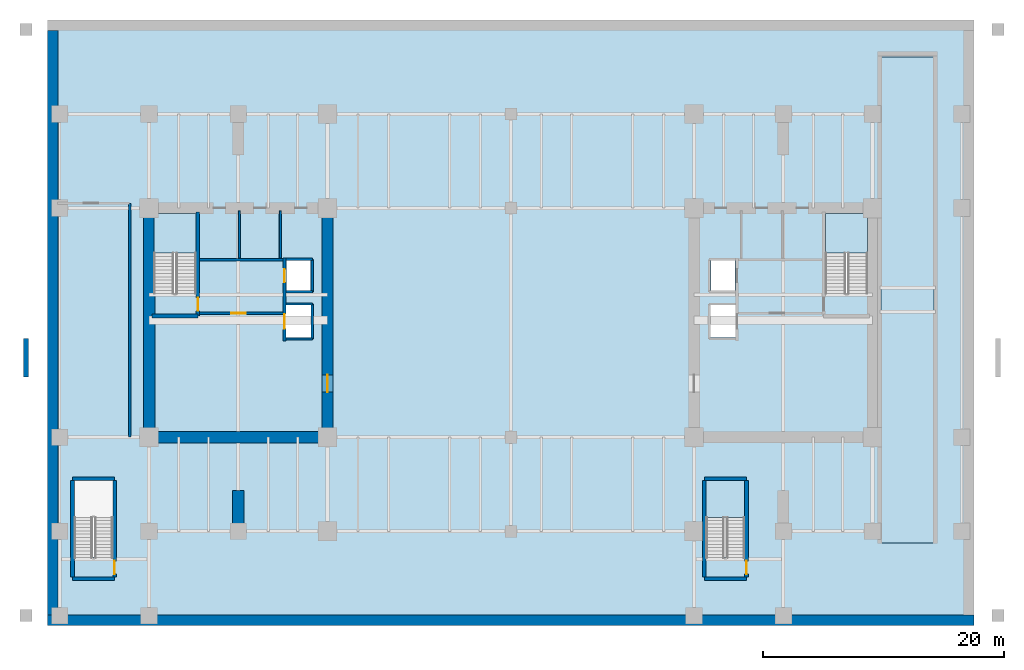
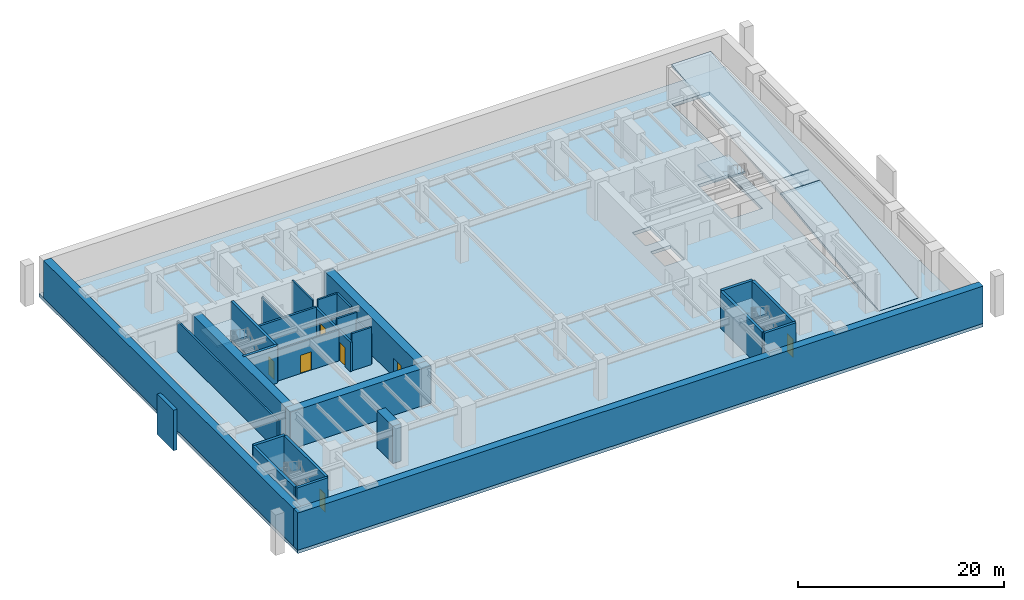
# One storey, part 2 of 6: 29 walls, 7 doors, 7 slabs, 7 openings, 3 elements without a shape of their own.
"""IFC4 building model written with IfcOpenShell, lengths in metres."""

from ifc_helpers import new_model, si_unit, direction, frame, frame_2d, origin, place, context, subcontext, project, spatial, polyline, rectangle, outline, extrude, source, transform, mapped, material, layer, layer_set, type_object, type_shapes, element, fill, aggregate, save


model = new_model("IFC4")

# Units and contexts
model_context = context("Model", 3, precision=1e-05, world=origin(), true_north=direction((0.0, 1.0)))
body_context = subcontext(model_context, "Body", "Model", "MODEL_VIEW")
ifc_project = project(units=[si_unit("LENGTHUNIT", "METRE"), si_unit("AREAUNIT", "SQUARE_METRE"), si_unit("VOLUMEUNIT", "CUBIC_METRE"), si_unit("PLANEANGLEUNIT", "RADIAN"), si_unit("MASSUNIT", "GRAM", prefix="KILO")], contexts=[model_context])

# Site, building, storey
site_placement = place(None, origin())
site = spatial("IfcSite", under=ifc_project, at=site_placement, CompositionType="ELEMENT")
building_placement = place(site_placement, origin())
building = spatial("IfcBuilding", under=site, at=building_placement, Name="Haelvirn Gate Laboratories", CompositionType="ELEMENT")
storey_placement = place(building_placement, frame((0.0, 0.0, -9.60009765625)))
storey = spatial("IfcBuildingStorey", under=building, at=storey_placement, Name="B2", CompositionType="ELEMENT", Elevation=-9.60009765625)

# Stair, slab
ifc_material_1 = material(Name="Concrete C40/50", Category="concrete")
stair_type_1 = type_object("IfcStairType", Name="ST-DOG-1650-R26", PredefinedType="HALF_TURN_STAIR", material=ifc_material_1)
stair_1_placement = place(storey_placement, origin())
stair_1 = element("IfcStair", 1, at=stair_1_placement, inside=storey, type_object=stair_type_1, Name="B2 Escape Stair ST1", PredefinedType="HALF_TURN_STAIR")
ifc_layer_1 = layer(ifc_material_1, 0.199951171875, Name="SL-STAIR-LND")
ifc_layer_set_1 = layer_set([ifc_layer_1], Name="Concrete C40/50")
slab_type_1 = type_object("IfcSlabType", Name="SL-STAIR-LND", PredefinedType="LANDING", material=ifc_layer_set_1)
slab_1_placement = place(storey_placement, frame((0.0, 0.0, 2.2001953125)))
slab_1 = element("IfcSlab", 2, at=slab_1_placement, type_object=slab_type_1, Name="ST1 landing 1", PredefinedType="LANDING", context=body_context, shape_type="SweptSolid", body=[
    extrude(outline(polyline([(11.300048828125, 30.06005859375), (11.300048828125, 33.35009765625), (7.800048828125, 33.35009765625), (7.800048828125, 30.06005859375), (11.300048828125, 30.06005859375)])), origin(), (0.0, 0.0, 1.0), 0.199951171875),
])
aggregate(stair_1, [slab_1])

stair_2_placement = place(storey_placement, origin())
stair_2 = element("IfcStair", 3, at=stair_2_placement, inside=storey, type_object=stair_type_1, Name="B2 Escape Stair ST2", PredefinedType="HALF_TURN_STAIR")
slab_2_placement = place(storey_placement, frame((0.0, 0.0, 2.2001953125)))
slab_2 = element("IfcSlab", 4, at=slab_2_placement, type_object=slab_type_1, Name="ST2 landing 1", PredefinedType="LANDING", context=body_context, shape_type="SweptSolid", body=[
    extrude(outline(polyline([(67.0, 30.06005859375), (67.0, 33.35009765625), (63.5, 33.35009765625), (63.5, 30.06005859375), (67.0, 30.06005859375)])), origin(), (0.0, 0.0, 1.0), 0.199951171875),
])
aggregate(stair_2, [slab_2])

stair_type_2 = type_object("IfcStairType", Name="ST-DOG-1500-R26", PredefinedType="HALF_TURN_STAIR", material=ifc_material_1)
stair_3_placement = place(storey_placement, origin())
stair_3 = element("IfcStair", 5, at=stair_3_placement, inside=storey, type_object=stair_type_2, Name="B2 Escape Stair ST4", PredefinedType="HALF_TURN_STAIR")
slab_3_placement = place(storey_placement, frame((0.0, 0.0, 2.2001953125)))
slab_3 = element("IfcSlab", 6, at=slab_3_placement, type_object=slab_type_1, Name="ST4 landing 1", PredefinedType="LANDING", context=body_context, shape_type="SweptSolid", body=[
    extrude(outline(polyline([(56.800048828125, 8.159912109375), (56.800048828125, 11.199951171875), (53.60009765625, 11.199951171875), (53.60009765625, 8.159912109375), (56.800048828125, 8.159912109375)])), origin(), (0.0, 0.0, 1.0), 0.199951171875),
])
aggregate(stair_3, [slab_3])

# Slabs
ifc_material_2 = material(Name="Concrete C50/60", Category="concrete")
ifc_layer_2 = layer(ifc_material_2, 0.3798828125, Name="SL-SUB-380")
ifc_layer_set_2 = layer_set([ifc_layer_2], Name="Concrete C50/60")
slab_type_2 = type_object("IfcSlabType", Name="SL-SUB-380", PredefinedType="FLOOR", material=ifc_layer_set_2)
slab_4_placement = place(storey_placement, frame((0.0, 0.0, -0.3798828125)))
element("IfcSlab", 7, at=slab_4_placement, inside=storey, type_object=slab_type_2, Name="B2 Structural Slab MAIN", PredefinedType="FLOOR", context=body_context, shape_type="SweptSolid", body=[
    extrude(outline(polyline([(-1.0, -0.800048828125), (75.800048828125, -0.800048828125), (75.800048828125, -0.800048828125), (75.800048828125, -0.800048828125), (75.800048828125, 49.39990234375), (75.800048828125, 49.39990234375), (75.800048828125, 49.39990234375), (-1.0, 49.39990234375), (-1.0, 49.39990234375), (-1.0, 49.39990234375), (-1.0, -0.800048828125), (-1.0, -0.800048828125), (-1.0, -0.800048828125)]), holes=[polyline([(11.300048828125, 26.780029296875), (11.300048828125, 33.35009765625), (7.800048828125, 33.35009765625), (7.800048828125, 26.780029296875), (11.300048828125, 26.780029296875)]), polyline([(67.0, 26.780029296875), (67.0, 33.35009765625), (63.5, 33.35009765625), (63.5, 26.780029296875), (67.0, 26.780029296875)]), polyline([(4.39990234375, 4.8798828125), (4.39990234375, 11.199951171875), (1.199951171875, 11.199951171875), (1.199951171875, 4.8798828125), (4.39990234375, 4.8798828125)]), polyline([(56.800048828125, 4.8798828125), (56.800048828125, 11.199951171875), (53.60009765625, 11.199951171875), (53.60009765625, 4.8798828125), (56.800048828125, 4.8798828125)]), polyline([(18.7900390625, 26.969970703125), (20.81005859375, 26.969970703125), (20.81005859375, 29.510009765625), (18.7900390625, 29.510009765625), (18.7900390625, 26.969970703125)]), polyline([(18.68994140625, 23.070068359375), (20.909912109375, 23.070068359375), (20.909912109375, 25.81005859375), (18.68994140625, 25.81005859375), (18.68994140625, 23.070068359375)]), polyline([(53.989990234375, 26.969970703125), (56.010009765625, 26.969970703125), (56.010009765625, 29.510009765625), (53.989990234375, 29.510009765625), (53.989990234375, 26.969970703125)]), polyline([(53.889892578125, 23.070068359375), (56.110107421875, 23.070068359375), (56.110107421875, 25.81005859375), (53.889892578125, 25.81005859375), (53.889892578125, 23.070068359375)]), polyline([(68.199951171875, 6.080078125), (72.39990234375, 6.080078125), (72.39990234375, 46.39990234375), (68.199951171875, 46.39990234375), (68.199951171875, 6.080078125)])]), origin(), (0.0, 0.0, 1.0), 0.3798828125),
])
ifc_layer_3 = layer(ifc_material_2, 0.300048828125, Name="SL-VRMP-300")
ifc_layer_set_3 = layer_set([ifc_layer_3], Name="Concrete C50/60")
slab_type_3 = type_object("IfcSlabType", Name="SL-VRMP-300", PredefinedType="USERDEFINED", material=ifc_layer_set_3)
slab_5_placement = place(storey_placement, frame((68.10009765625, 6.050048828125, 0.010009765625), z_axis=(0.0, -0.124170543435, 0.992260891169), x_axis=(1.0, 0.0, 0.0)))
element("IfcSlab", 8, at=slab_5_placement, inside=storey, type_object=slab_type_3, Name="Car park vehicle ramp B2 lower structural slab", ObjectType="RAMP", PredefinedType="USERDEFINED", context=body_context, shape_type="SweptSolid", body=[
    extrude(outline(polyline([(0.0, 0.0), (4.39990234375, 0.0), (4.39990234375, 19.248779296875), (0.0, 19.248779296875), (0.0, 0.0)])), origin(), (0.0, 0.0, -1.0), 0.300048828125),
])
slab_6_placement = place(storey_placement, frame((68.10009765625, 27.25, 2.400146484375), z_axis=(0.0, -0.124668441349, 0.992198457836), x_axis=(1.0, 0.0, 0.0)))
element("IfcSlab", 9, at=slab_6_placement, inside=storey, type_object=slab_type_3, Name="Car park vehicle ramp B2 upper structural slab", ObjectType="RAMP", PredefinedType="USERDEFINED", context=body_context, shape_type="SweptSolid", body=[
    extrude(outline(polyline([(0.0, 0.0), (4.39990234375, 0.0), (4.39990234375, 19.250244140625), (0.0, 19.250244140625), (0.0, 0.0)])), origin(), (0.0, 0.0, -1.0), 0.300048828125),
])
ifc_layer_4 = layer(ifc_material_2, 0.300048828125, Name="SL-VRMP-LND")
ifc_layer_set_4 = layer_set([ifc_layer_4], Name="Concrete C50/60")
slab_type_4 = type_object("IfcSlabType", Name="SL-VRMP-LND", PredefinedType="LANDING", material=ifc_layer_set_4)
slab_7_placement = place(storey_placement, frame((0.0, 0.0, 2.10009765625)))
element("IfcSlab", 10, at=slab_7_placement, inside=storey, type_object=slab_type_4, Name="Car park vehicle ramp B2 intermediate landing", PredefinedType="LANDING", context=body_context, shape_type="SweptSolid", body=[
    extrude(outline(polyline([(68.10009765625, 25.199951171875), (72.5, 25.199951171875), (72.5, 27.199951171875), (68.10009765625, 27.199951171875), (68.10009765625, 25.199951171875)])), origin(), (0.0, 0.0, 1.0), 0.300048828125),
])

# Walls
ifc_material_3 = material(Name="Fire-rated gypsum shaft-liner partition", Category="gypsum")
ifc_layer_5 = layer(ifc_material_3, 0.18505859375, Name="IW-PART-180")
ifc_layer_set_5 = layer_set([ifc_layer_5], Name="Fire-rated gypsum shaft-liner partition")
wall_type_1 = type_object("IfcWallType", Name="IW-PART-180", PredefinedType="SOLIDWALL", material=ifc_layer_set_5)
wall_1_placement = place(storey_placement, frame((5.800048828125, 14.800048828125, 0.0), z_axis=(0.0, 0.0, 1.0), x_axis=(0.0, 1.0, 0.0)))
element("IfcWall", 11, at=wall_1_placement, inside=storey, type_object=wall_type_1, Name="B2 Interior Wall IW-B2-CYC-E", PredefinedType="SOLIDWALL", context=body_context, shape_type="SweptSolid", body=[
    extrude(rectangle(XDim=19.39990234375, YDim=0.18505859375, at=frame_2d((9.699951171875, 0.0))), origin(), (0.0, 0.0, 1.0), 3.60498046875),
])
ifc_material_4 = material(Name="Cement-board restroom plumbing chase wall", Category="gypsum")
ifc_layer_6 = layer(ifc_material_4, 0.155029296875, Name="IW-PLUMB-160")
ifc_layer_set_6 = layer_set([ifc_layer_6], Name="Cement-board restroom plumbing chase wall")
wall_type_2 = type_object("IfcWallType", Name="IW-PLUMB-160", PredefinedType="PLUMBINGWALL", material=ifc_layer_set_6)
wall_2_placement = place(storey_placement, frame((14.889892578125, 29.64990234375, 0.0), z_axis=(0.0, 0.0, 1.0), x_axis=(0.0, 1.0, 0.0)))
element("IfcWall", 12, at=wall_2_placement, inside=storey, type_object=wall_type_2, Name="B2 Interior Wall IW-B2-W-CDIV-1", PredefinedType="PLUMBINGWALL", context=body_context, shape_type="SweptSolid", body=[
    extrude(rectangle(XDim=3.93017578125, YDim=0.155029296875, at=frame_2d((1.965087890625, 0.0))), origin(), (0.0, 0.0, 1.0), 3.655029296875),
])
wall_3_placement = place(storey_placement, frame((18.2900390625, 29.64990234375, 0.0), z_axis=(0.0, 0.0, 1.0), x_axis=(0.0, 1.0, 0.0)))
element("IfcWall", 13, at=wall_3_placement, inside=storey, type_object=wall_type_2, Name="B2 Interior Wall IW-B2-W-CDIV-2", PredefinedType="PLUMBINGWALL", context=body_context, shape_type="SweptSolid", body=[
    extrude(rectangle(XDim=3.93017578125, YDim=0.155029296875, at=frame_2d((1.965087890625, 0.0))), origin(), (0.0, 0.0, 1.0), 4.420166015625),
])
ifc_layer_7 = layer(ifc_material_1, 0.199951171875, Name="IW-SHAFT-200")
ifc_layer_set_7 = layer_set([ifc_layer_7], Name="Concrete C40/50")
wall_type_3 = type_object("IfcWallType", Name="IW-SHAFT-200", PredefinedType="SOLIDWALL", material=ifc_layer_set_7)
wall_4_placement = place(storey_placement, frame((20.949951171875, 26.85009765625, 0.0), z_axis=(0.0, 0.0, 1.0), x_axis=(0.0, 1.0, 0.0)))
element("IfcWall", 14, at=wall_4_placement, inside=storey, type_object=wall_type_3, Name="B2 Interior Wall IW-B2-FL1-BK", PredefinedType="SOLIDWALL", context=body_context, shape_type="SweptSolid", body=[
    extrude(rectangle(XDim=2.699951171875, YDim=0.199951171875, at=frame_2d((1.35009765625, 0.0))), origin(), (0.0, 0.0, 1.0), 4.420166015625),
])
wall_5_placement = place(storey_placement, frame((18.760009765625, 29.550048828125, 0.0), z_axis=(0.0, 0.0, 1.0), x_axis=(1.0, 0.0, 0.0)))
element("IfcWall", 15, at=wall_5_placement, inside=storey, type_object=wall_type_3, Name="B2 Interior Wall IW-B2-FL1-N", PredefinedType="SOLIDWALL", context=body_context, shape_type="SweptSolid", body=[
    extrude(rectangle(XDim=2.18994140625, YDim=0.199951171875, at=frame_2d((1.094970703125, 0.0))), origin(), (0.0, 0.0, 1.0), 4.420166015625),
])
wall_6_placement = place(storey_placement, frame((18.760009765625, 26.85009765625, 0.0), z_axis=(0.0, 0.0, 1.0), x_axis=(1.0, 0.0, 0.0)))
element("IfcWall", 16, at=wall_6_placement, inside=storey, type_object=wall_type_3, Name="B2 Interior Wall IW-B2-FL1-S", PredefinedType="SOLIDWALL", context=body_context, shape_type="SweptSolid", body=[
    extrude(rectangle(XDim=2.18994140625, YDim=0.199951171875, at=frame_2d((1.094970703125, 0.0))), origin(), (0.0, 0.0, 1.0), 3.817138671875),
])
wall_7_placement = place(storey_placement, frame((20.949951171875, 22.949951171875, 0.0), z_axis=(0.0, 0.0, 1.0), x_axis=(0.0, 1.0, 0.0)))
element("IfcWall", 17, at=wall_7_placement, inside=storey, type_object=wall_type_3, Name="B2 Interior Wall IW-B2-SL1-BK", PredefinedType="SOLIDWALL", context=body_context, shape_type="SweptSolid", body=[
    extrude(rectangle(XDim=2.900146484375, YDim=0.199951171875, at=frame_2d((1.4501953125, 0.0))), origin(), (0.0, 0.0, 1.0), 3.505126953125),
])
for number, where, z_axis, x_axis, name in (
    (18, (18.760009765625, 25.85009765625, 0.0), (0.0, 0.0, 1.0), (1.0, 0.0, 0.0), "B2 Interior Wall IW-B2-SL1-N"),
    (19, (18.760009765625, 22.949951171875, 0.0), (0.0, 0.0, 1.0), (1.0, 0.0, 0.0), "B2 Interior Wall IW-B2-SL1-S"),
):
    element("IfcWall", number, at=place(storey_placement, frame(where, z_axis=z_axis, x_axis=x_axis)), inside=storey, type_object=wall_type_3, Name=name, PredefinedType="SOLIDWALL", context=body_context, shape_type="SweptSolid", body=[
        extrude(rectangle(XDim=2.18994140625, YDim=0.199951171875, at=frame_2d((1.094970703125, 0.0))), origin(), (0.0, 0.0, 1.0), 4.420166015625),
    ])

# Wall, opening, door
ifc_layer_8 = layer(ifc_material_1, 0.239990234375, Name="IW-SHAFT-240")
ifc_layer_set_8 = layer_set([ifc_layer_8], Name="Concrete C40/50")
wall_type_4 = type_object("IfcWallType", Name="IW-SHAFT-240", PredefinedType="SOLIDWALL", material=ifc_layer_set_8)
wall_8_placement = place(storey_placement, frame((11.60009765625, 25.080078125, 0.0), z_axis=(0.0, 0.0, 1.0), x_axis=(1.0, 0.0, 0.0)))
wall_8 = element("IfcWall", 20, at=wall_8_placement, inside=storey, type_object=wall_type_4, Name="B2 Interior Wall IW-B2-W-FF-S", PredefinedType="SOLIDWALL", context=body_context, shape_type="SweptSolid", body=[
    extrude(rectangle(XDim=6.919921875, YDim=0.239990234375, at=frame_2d((3.4599609375, 0.0))), origin(), (0.0, 0.0, 1.0), 3.655029296875),
])
opening_1_placement = place(wall_8_placement, frame((2.60009765625, 0.0, 0.0)))
opening_1 = element("IfcOpeningElement", 21, at=opening_1_placement, cuts=wall_8, Name="Opening FD2", PredefinedType="OPENING", context=body_context, shape_type="SweptSolid", body=[
    extrude(rectangle(XDim=1.199951171875, YDim=2.159912109375, at=frame_2d((0.60009765625, 1.080078125))), frame((0.0, 0.1298828125, 0.0), z_axis=(0.0, -1.0, 0.0), x_axis=(1.0, 0.0, 0.0)), (0.0, 0.0, 1.0), 0.260009765625),
])
ifc_material_5 = material(Name="Fire-rated steel SM355 compartment door", Category="steel")
door_type_1 = type_object("IfcDoorType", Name="DR-FD-1200", OperationType="NOTDEFINED", PredefinedType="DOOR", material=ifc_material_5)
shared_shape_1 = source(origin(), body_context, "Body", "SweptSolid", [
    extrude(rectangle(XDim=1.199951171875, YDim=2.159912109375, at=frame_2d((0.60009765625, 1.080078125))), frame((0.0, 0.02490234375, 0.0), z_axis=(0.0, -1.0, 0.0), x_axis=(1.0, 0.0, 0.0)), (0.0, 0.0, 1.0), 0.050048828125),
])
type_shapes(door_type_1, [shared_shape_1])
door_1_placement = place(opening_1_placement, origin())
door_1 = element("IfcDoor", 22, at=door_1_placement, inside=storey, type_object=door_type_1, Name="B2 West Firefighting Lobby Door", OperationType="SINGLE_SWING_RIGHT", OverallHeight=2.159912109375, OverallWidth=1.199951171875, PredefinedType="DOOR", context=body_context, shape_type="MappedRepresentation", body=[
    mapped(shared_shape_1, transform((0.0, 0.0, 0.0), scale=1.0)),
])
fill(opening_1, door_1)

# Wall
wall_9_placement = place(storey_placement, frame((11.60009765625, 29.52001953125, 0.0), z_axis=(0.0, 0.0, 1.0), x_axis=(1.0, 0.0, 0.0)))
element("IfcWall", 23, at=wall_9_placement, inside=storey, type_object=wall_type_4, Name="B2 Interior Wall IW-B2-W-FF-N", PredefinedType="SOLIDWALL", context=body_context, shape_type="SweptSolid", body=[
    extrude(rectangle(XDim=6.919921875, YDim=0.239990234375, at=frame_2d((3.4599609375, 0.0))), origin(), (0.0, 0.0, 1.0), 3.655029296875),
])

# Wall, openings, doors
wall_10_placement = place(storey_placement, frame((18.639892578125, 22.800048828125, 0.0), z_axis=(0.0, 0.0, 1.0), x_axis=(0.0, 1.0, 0.0)))
wall_10 = element("IfcWall", 24, at=wall_10_placement, inside=storey, type_object=wall_type_4, Name="B2 Interior Wall IW-B2-W-FF-E", PredefinedType="SOLIDWALL", context=body_context, shape_type="SweptSolid", body=[
    extrude(rectangle(XDim=6.849853515625, YDim=0.239990234375, at=frame_2d((3.4248046875, 0.0))), origin(), (0.0, 0.0, 1.0), 3.505126953125),
])
opening_2_placement = place(wall_10_placement, frame((4.85009765625, 0.0, 0.0)))
opening_2 = element("IfcOpeningElement", 25, at=opening_2_placement, cuts=wall_10, Name="Opening LD2", PredefinedType="OPENING", context=body_context, shape_type="SweptSolid", body=[
    extrude(rectangle(XDim=1.10009765625, YDim=2.219970703125, at=frame_2d((0.550048828125, 1.10986328125))), frame((0.0, 0.1298828125, 0.0), z_axis=(0.0, -1.0, 0.0), x_axis=(1.0, 0.0, 0.0)), (0.0, 0.0, 1.0), 0.260009765625),
])
opening_3_placement = place(wall_10_placement, frame((1.0, 0.0, 0.0)))
opening_3 = element("IfcOpeningElement", 26, at=opening_3_placement, cuts=wall_10, Name="Opening LD1", PredefinedType="OPENING", context=body_context, shape_type="SweptSolid", body=[
    extrude(rectangle(XDim=1.199951171875, YDim=2.219970703125, at=frame_2d((0.60009765625, 1.10986328125))), frame((0.0, 0.1298828125, 0.0), z_axis=(0.0, -1.0, 0.0), x_axis=(1.0, 0.0, 0.0)), (0.0, 0.0, 1.0), 0.260009765625),
])
ifc_material_6 = material(Name="Bronze stainless 316L sliding lift landing door")
door_type_2 = type_object("IfcDoorType", Name="DR-LD-1100", OperationType="NOTDEFINED", PredefinedType="USERDEFINED", material=ifc_material_6)
shared_shape_2 = source(origin(), body_context, "Body", "SweptSolid", [
    extrude(rectangle(XDim=1.10009765625, YDim=2.219970703125, at=frame_2d((0.550048828125, 1.10986328125))), frame((0.0, 0.02490234375, 0.0), z_axis=(0.0, -1.0, 0.0), x_axis=(1.0, 0.0, 0.0)), (0.0, 0.0, 1.0), 0.050048828125),
])
type_shapes(door_type_2, [shared_shape_2])
door_2_placement = place(opening_2_placement, origin())
door_2 = element("IfcDoor", 27, at=door_2_placement, inside=storey, type_object=door_type_2, Name="B2 Firefighting Lift FL1 Landing Door", ObjectType="LANDING_DOOR", OperationType="SLIDING_TO_LEFT", OverallHeight=2.219970703125, OverallWidth=1.10009765625, PredefinedType="USERDEFINED", context=body_context, shape_type="MappedRepresentation", body=[
    mapped(shared_shape_2, transform((0.0, 0.0, 0.0), scale=1.0)),
])
fill(opening_2, door_2)
ifc_material_7 = material(Name="Stainless steel 316L sliding goods landing door", Category="steel")
door_type_3 = type_object("IfcDoorType", Name="DR-LD-1200", OperationType="NOTDEFINED", PredefinedType="USERDEFINED", material=ifc_material_7)
shared_shape_3 = source(origin(), body_context, "Body", "SweptSolid", [
    extrude(rectangle(XDim=1.199951171875, YDim=2.219970703125, at=frame_2d((0.60009765625, 1.10986328125))), frame((0.0, 0.02490234375, 0.0), z_axis=(0.0, -1.0, 0.0), x_axis=(1.0, 0.0, 0.0)), (0.0, 0.0, 1.0), 0.050048828125),
])
type_shapes(door_type_3, [shared_shape_3])
door_3_placement = place(opening_3_placement, origin())
door_3 = element("IfcDoor", 28, at=door_3_placement, inside=storey, type_object=door_type_3, Name="B2 Service Lift SL1 Landing Door", ObjectType="LANDING_DOOR", OperationType="SLIDING_TO_RIGHT", OverallHeight=2.219970703125, OverallWidth=1.199951171875, PredefinedType="USERDEFINED", context=body_context, shape_type="MappedRepresentation", body=[
    mapped(shared_shape_3, transform((0.0, 0.0, 0.0), scale=1.0)),
])
fill(opening_3, door_3)

# Walls
ifc_material_8 = material(Name="Concrete C70/85", Category="concrete")
ifc_layer_9 = layer(ifc_material_8, 0.949951171875, Name="SW-CORE-950")
ifc_layer_set_9 = layer_set([ifc_layer_9], Name="Concrete C70/85")
wall_type_5 = type_object("IfcWallType", Name="SW-CORE-950", PredefinedType="SHEAR", material=ifc_layer_set_9)
wall_11_placement = place(storey_placement, frame((6.925048828125, 14.800048828125, 0.0), z_axis=(0.0, 0.0, 1.0), x_axis=(1.0, 0.0, 0.0)))
element("IfcWall", 29, at=wall_11_placement, inside=storey, type_object=wall_type_5, Name="B2 W Core Shear Wall S", PredefinedType="SHEAR", context=body_context, shape_type="SweptSolid", body=[
    extrude(rectangle(XDim=15.75, YDim=0.949951171875, at=frame_2d((7.875, 0.0))), origin(), (0.0, 0.0, 1.0), 4.420166015625),
])
wall_12_placement = place(storey_placement, frame((7.39990234375, 15.27490234375, 0.0), z_axis=(0.0, 0.0, 1.0), x_axis=(0.0, 1.0, 0.0)))
element("IfcWall", 30, at=wall_12_placement, inside=storey, type_object=wall_type_5, Name="B2 W Core Shear Wall W", PredefinedType="SHEAR", context=body_context, shape_type="SweptSolid", body=[
    extrude(rectangle(XDim=18.050048828125, YDim=0.949951171875, at=frame_2d((9.02490234375, 0.0))), origin(), (0.0, 0.0, 1.0), 4.420166015625),
])

# Wall, opening, door
wall_13_placement = place(storey_placement, frame((22.199951171875, 15.27490234375, 0.0), z_axis=(0.0, 0.0, 1.0), x_axis=(0.0, 1.0, 0.0)))
wall_13 = element("IfcWall", 31, at=wall_13_placement, inside=storey, type_object=wall_type_5, Name="B2 W Core Shear Wall E", PredefinedType="SHEAR", context=body_context, shape_type="SweptSolid", body=[
    extrude(rectangle(XDim=18.050048828125, YDim=0.949951171875, at=frame_2d((9.02490234375, 0.0))), origin(), (0.0, 0.0, 1.0), 4.420166015625),
])
opening_4_placement = place(wall_13_placement, frame((3.27490234375, 0.0, 0.0)))
opening_4 = element("IfcOpeningElement", 32, at=opening_4_placement, cuts=wall_13, Name="Opening FD1", PredefinedType="OPENING", context=body_context, shape_type="SweptSolid", body=[
    extrude(rectangle(XDim=1.419921875, YDim=2.199951171875, at=frame_2d((0.7099609375, 1.10009765625))), frame((0.0, 0.48486328125, 0.0), z_axis=(0.0, -1.0, 0.0), x_axis=(1.0, 0.0, 0.0)), (0.0, 0.0, 1.0), 0.969970703125),
])
ifc_material_9 = material(Name="Fire-rated double steel SM355 lobby door", Category="steel")
door_type_4 = type_object("IfcDoorType", Name="DR-FD-1400", OperationType="NOTDEFINED", PredefinedType="DOOR", material=ifc_material_9)
shared_shape_4 = source(origin(), body_context, "Body", "SweptSolid", [
    extrude(rectangle(XDim=1.419921875, YDim=2.199951171875, at=frame_2d((0.7099609375, 1.10009765625))), frame((0.0, 0.02490234375, 0.0), z_axis=(0.0, -1.0, 0.0), x_axis=(1.0, 0.0, 0.0)), (0.0, 0.0, 1.0), 0.050048828125),
])
type_shapes(door_type_4, [shared_shape_4])
door_4_placement = place(opening_4_placement, origin())
door_4 = element("IfcDoor", 33, at=door_4_placement, inside=storey, type_object=door_type_4, Name="B2 West Core Lift Lobby Fire Door", OperationType="DOUBLE_DOOR_SINGLE_SWING", OverallHeight=2.199951171875, OverallWidth=1.419921875, PredefinedType="DOOR", context=body_context, shape_type="MappedRepresentation", body=[
    mapped(shared_shape_4, transform((0.0, 0.0, 0.0), scale=1.0)),
])
fill(opening_4, door_4)

# Walls
wall_14_placement = place(storey_placement, frame((14.800048828125, 7.300048828125, 0.0), z_axis=(0.0, 0.0, 1.0), x_axis=(0.0, 1.0, 0.0)))
element("IfcWall", 34, at=wall_14_placement, inside=storey, type_object=wall_type_5, Name="B2 Transverse Slab Shear Wall W-S", PredefinedType="SHEAR", context=body_context, shape_type="SweptSolid", body=[
    extrude(rectangle(XDim=3.099853515625, YDim=0.949951171875, at=frame_2d((1.5498046875, 0.0))), origin(), (0.0, 0.0, 1.0), 4.420166015625),
])
ifc_layer_10 = layer(ifc_material_2, 0.39990234375, Name="SW-PLINTH-400")
ifc_layer_set_10 = layer_set([ifc_layer_10], Name="Concrete C50/60")
wall_type_6 = type_object("IfcWallType", Name="SW-PLINTH-400", PredefinedType="SOLIDWALL", material=ifc_layer_set_10)
wall_15_placement = place(storey_placement, frame((-2.800048828125, 19.800048828125, 0.0), z_axis=(0.0, 0.0, 1.0), x_axis=(0.0, 1.0, 0.0)))
element("IfcWall", 35, at=wall_15_placement, inside=storey, type_object=wall_type_6, Name="B2 West Accessible Ramp Plinth Wall", PredefinedType="SOLIDWALL", context=body_context, shape_type="SweptSolid", body=[
    extrude(rectangle(XDim=3.199951171875, YDim=0.39990234375, at=frame_2d((1.60009765625, 0.0))), origin(), (0.0, 0.0, 1.0), 4.800048828125),
])
ifc_layer_11 = layer(ifc_material_2, 0.85009765625, Name="SW-RET-850")
ifc_layer_set_11 = layer_set([ifc_layer_11], Name="Concrete C50/60")
wall_type_7 = type_object("IfcWallType", Name="SW-RET-850", PredefinedType="SOLIDWALL", material=ifc_layer_set_11)
wall_16_placement = place(storey_placement, frame((-1.0, -0.375, 0.0), z_axis=(0.0, 0.0, 1.0), x_axis=(1.0, 0.0, 0.0)))
element("IfcWall", 36, at=wall_16_placement, inside=storey, type_object=wall_type_7, Name="B2 Perimeter Diaphragm Wall S", PredefinedType="SOLIDWALL", context=body_context, shape_type="SweptSolid", body=[
    extrude(rectangle(XDim=76.800048828125, YDim=0.85009765625, at=frame_2d((38.39990234375, 0.0))), origin(), (0.0, 0.0, 1.0), 4.420166015625),
])
wall_17_placement = place(storey_placement, frame((-0.574951171875, 0.050048828125, 0.0), z_axis=(0.0, 0.0, 1.0), x_axis=(0.0, 1.0, 0.0)))
element("IfcWall", 37, at=wall_17_placement, inside=storey, type_object=wall_type_7, Name="B2 Perimeter Diaphragm Wall W", PredefinedType="SOLIDWALL", context=body_context, shape_type="SweptSolid", body=[
    extrude(rectangle(XDim=48.5, YDim=0.85009765625, at=frame_2d((24.25, 0.0))), origin(), (0.0, 0.0, 1.0), 4.420166015625),
])

# Wall, opening, door
ifc_layer_12 = layer(ifc_material_2, 0.300048828125, Name="SW-STAIR-300")
ifc_layer_set_12 = layer_set([ifc_layer_12], Name="Concrete C50/60")
wall_type_8 = type_object("IfcWallType", Name="SW-STAIR-300", PredefinedType="SHEAR", material=ifc_layer_set_12)
wall_18_placement = place(storey_placement, frame((11.449951171875, 24.85009765625, 0.0), z_axis=(0.0, 0.0, 1.0), x_axis=(0.0, 1.0, 0.0)))
wall_18 = element("IfcWall", 38, at=wall_18_placement, inside=storey, type_object=wall_type_8, Name="B2 W Core Stair Shaft Structural Wall IN", PredefinedType="SHEAR", context=body_context, shape_type="SweptSolid", body=[
    extrude(rectangle(XDim=8.6298828125, YDim=0.300048828125, at=frame_2d((4.31494140625, 0.0))), origin(), (0.0, 0.0, 1.0), 4.420166015625),
])
opening_5_placement = place(wall_18_placement, frame((0.419921875, 0.0, 0.0)))
opening_5 = element("IfcOpeningElement", 39, at=opening_5_placement, cuts=wall_18, Name="Opening FD3", PredefinedType="OPENING", context=body_context, shape_type="SweptSolid", body=[
    extrude(rectangle(XDim=1.10009765625, YDim=2.14990234375, at=frame_2d((0.550048828125, 1.074951171875))), frame((0.0, 0.16015625, 0.0), z_axis=(0.0, -1.0, 0.0), x_axis=(1.0, 0.0, 0.0)), (0.0, 0.0, 1.0), 0.320068359375),
])
ifc_material_10 = material(Name="Fire-rated steel SM355 escape stair door", Category="steel")
door_type_5 = type_object("IfcDoorType", Name="DR-FD-1100", OperationType="NOTDEFINED", PredefinedType="DOOR", material=ifc_material_10)
shared_shape_5 = source(origin(), body_context, "Body", "SweptSolid", [
    extrude(rectangle(XDim=1.10009765625, YDim=2.14990234375, at=frame_2d((0.550048828125, 1.074951171875))), frame((0.0, 0.02490234375, 0.0), z_axis=(0.0, -1.0, 0.0), x_axis=(1.0, 0.0, 0.0)), (0.0, 0.0, 1.0), 0.050048828125),
])
type_shapes(door_type_5, [shared_shape_5])
door_5_placement = place(opening_5_placement, origin())
door_5 = element("IfcDoor", 40, at=door_5_placement, inside=storey, type_object=door_type_5, Name="B2 Escape Stair ST1 Fire Door", OperationType="SINGLE_SWING_LEFT", OverallHeight=2.14990234375, OverallWidth=1.10009765625, PredefinedType="DOOR", context=body_context, shape_type="MappedRepresentation", body=[
    mapped(shared_shape_5, transform((0.0, 0.0, 0.0), scale=1.0)),
])
fill(opening_5, door_5)

# Walls
wall_19_placement = place(storey_placement, frame((7.64990234375, 24.85009765625, 0.0), z_axis=(0.0, 0.0, 1.0), x_axis=(1.0, 0.0, 0.0)))
element("IfcWall", 41, at=wall_19_placement, inside=storey, type_object=wall_type_8, Name="B2 W Core Stair Shaft Structural Wall S", PredefinedType="SHEAR", context=body_context, shape_type="SweptSolid", body=[
    extrude(rectangle(XDim=3.800048828125, YDim=0.300048828125, at=frame_2d((1.89990234375, 0.0))), origin(), (0.0, 0.0, 1.0), 4.420166015625),
])
for number, where, z_axis, x_axis, name in (
    (42, (1.050048828125, 3.050048828125, 0.0), (0.0, 0.0, 1.0), (1.0, 0.0, 0.0), "B2 Podium Stair ST3 Structural Wall S"),
    (43, (1.050048828125, 11.35009765625, 0.0), (0.0, 0.0, 1.0), (1.0, 0.0, 0.0), "B2 Podium Stair ST3 Structural Wall N"),
):
    element("IfcWall", number, at=place(storey_placement, frame(where, z_axis=z_axis, x_axis=x_axis)), inside=storey, type_object=wall_type_8, Name=name, PredefinedType="SHEAR", context=body_context, shape_type="SweptSolid", body=[
        extrude(rectangle(XDim=3.5, YDim=0.300048828125, at=frame_2d((1.75, 0.0))), origin(), (0.0, 0.0, 1.0), 4.420166015625),
    ])
wall_20_placement = place(storey_placement, frame((1.050048828125, 3.199951171875, 0.0), z_axis=(0.0, 0.0, 1.0), x_axis=(0.0, 1.0, 0.0)))
element("IfcWall", 44, at=wall_20_placement, inside=storey, type_object=wall_type_8, Name="B2 Podium Stair ST3 Structural Wall W", PredefinedType="SHEAR", context=body_context, shape_type="SweptSolid", body=[
    extrude(rectangle(XDim=8.0, YDim=0.300048828125, at=frame_2d((4.0, 0.0))), origin(), (0.0, 0.0, 1.0), 4.420166015625),
])

# Wall, opening, door
wall_21_placement = place(storey_placement, frame((4.550048828125, 3.199951171875, 0.0), z_axis=(0.0, 0.0, 1.0), x_axis=(0.0, 1.0, 0.0)))
wall_21 = element("IfcWall", 45, at=wall_21_placement, inside=storey, type_object=wall_type_8, Name="B2 Podium Stair ST3 Structural Wall E", PredefinedType="SHEAR", context=body_context, shape_type="SweptSolid", body=[
    extrude(rectangle(XDim=8.0, YDim=0.300048828125, at=frame_2d((4.0, 0.0))), origin(), (0.0, 0.0, 1.0), 4.420166015625),
])
opening_6_placement = place(wall_21_placement, frame((0.25, 0.0, 0.0)))
opening_6 = element("IfcOpeningElement", 46, at=opening_6_placement, cuts=wall_21, Name="Opening FD3", PredefinedType="OPENING", context=body_context, shape_type="SweptSolid", body=[
    extrude(rectangle(XDim=1.10009765625, YDim=2.14990234375, at=frame_2d((0.550048828125, 1.074951171875))), frame((0.0, 0.16015625, 0.0), z_axis=(0.0, -1.0, 0.0), x_axis=(1.0, 0.0, 0.0)), (0.0, 0.0, 1.0), 0.320068359375),
])
door_6_placement = place(opening_6_placement, origin())
door_6 = element("IfcDoor", 47, at=door_6_placement, inside=storey, type_object=door_type_5, Name="B2 Escape Stair ST3 Fire Door", OperationType="SINGLE_SWING_RIGHT", OverallHeight=2.14990234375, OverallWidth=1.10009765625, PredefinedType="DOOR", context=body_context, shape_type="MappedRepresentation", body=[
    mapped(shared_shape_5, transform((0.0, 0.0, 0.0), scale=1.0)),
])
fill(opening_6, door_6)

# Walls
for number, where, z_axis, x_axis, name in (
    (48, (53.449951171875, 3.050048828125, 0.0), (0.0, 0.0, 1.0), (1.0, 0.0, 0.0), "B2 Podium Stair ST4 Structural Wall S"),
    (49, (53.449951171875, 11.35009765625, 0.0), (0.0, 0.0, 1.0), (1.0, 0.0, 0.0), "B2 Podium Stair ST4 Structural Wall N"),
):
    element("IfcWall", number, at=place(storey_placement, frame(where, z_axis=z_axis, x_axis=x_axis)), inside=storey, type_object=wall_type_8, Name=name, PredefinedType="SHEAR", context=body_context, shape_type="SweptSolid", body=[
        extrude(rectangle(XDim=3.5, YDim=0.300048828125, at=frame_2d((1.75, 0.0))), origin(), (0.0, 0.0, 1.0), 4.420166015625),
    ])
wall_22_placement = place(storey_placement, frame((53.449951171875, 3.199951171875, 0.0), z_axis=(0.0, 0.0, 1.0), x_axis=(0.0, 1.0, 0.0)))
element("IfcWall", 50, at=wall_22_placement, inside=storey, type_object=wall_type_8, Name="B2 Podium Stair ST4 Structural Wall W", PredefinedType="SHEAR", context=body_context, shape_type="SweptSolid", body=[
    extrude(rectangle(XDim=8.0, YDim=0.300048828125, at=frame_2d((4.0, 0.0))), origin(), (0.0, 0.0, 1.0), 4.420166015625),
])

# Wall, opening, door
wall_23_placement = place(storey_placement, frame((56.949951171875, 3.199951171875, 0.0), z_axis=(0.0, 0.0, 1.0), x_axis=(0.0, 1.0, 0.0)))
wall_23 = element("IfcWall", 51, at=wall_23_placement, inside=storey, type_object=wall_type_8, Name="B2 Podium Stair ST4 Structural Wall E", PredefinedType="SHEAR", context=body_context, shape_type="SweptSolid", body=[
    extrude(rectangle(XDim=8.0, YDim=0.300048828125, at=frame_2d((4.0, 0.0))), origin(), (0.0, 0.0, 1.0), 4.420166015625),
])
opening_7_placement = place(wall_23_placement, frame((0.25, 0.0, 0.0)))
opening_7 = element("IfcOpeningElement", 52, at=opening_7_placement, cuts=wall_23, Name="Opening FD3", PredefinedType="OPENING", context=body_context, shape_type="SweptSolid", body=[
    extrude(rectangle(XDim=1.10009765625, YDim=2.14990234375, at=frame_2d((0.550048828125, 1.074951171875))), frame((0.0, 0.16015625, 0.0), z_axis=(0.0, -1.0, 0.0), x_axis=(1.0, 0.0, 0.0)), (0.0, 0.0, 1.0), 0.320068359375),
])
door_7_placement = place(opening_7_placement, origin())
door_7 = element("IfcDoor", 53, at=door_7_placement, inside=storey, type_object=door_type_5, Name="B2 Escape Stair ST4 Fire Door", OperationType="SINGLE_SWING_RIGHT", OverallHeight=2.14990234375, OverallWidth=1.10009765625, PredefinedType="DOOR", context=body_context, shape_type="MappedRepresentation", body=[
    mapped(shared_shape_5, transform((0.0, 0.0, 0.0), scale=1.0)),
])
fill(opening_7, door_7)

save(model, "model.ifc")
